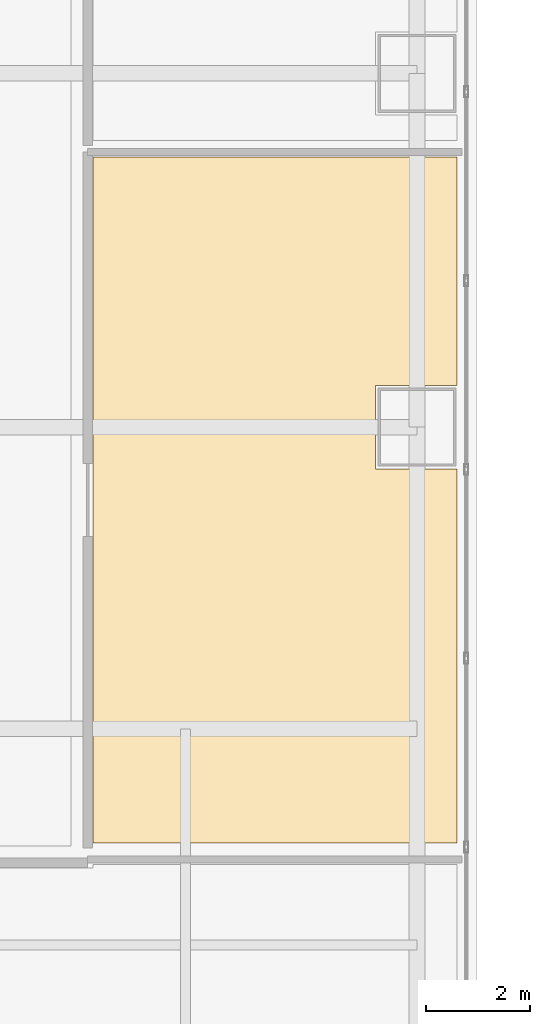
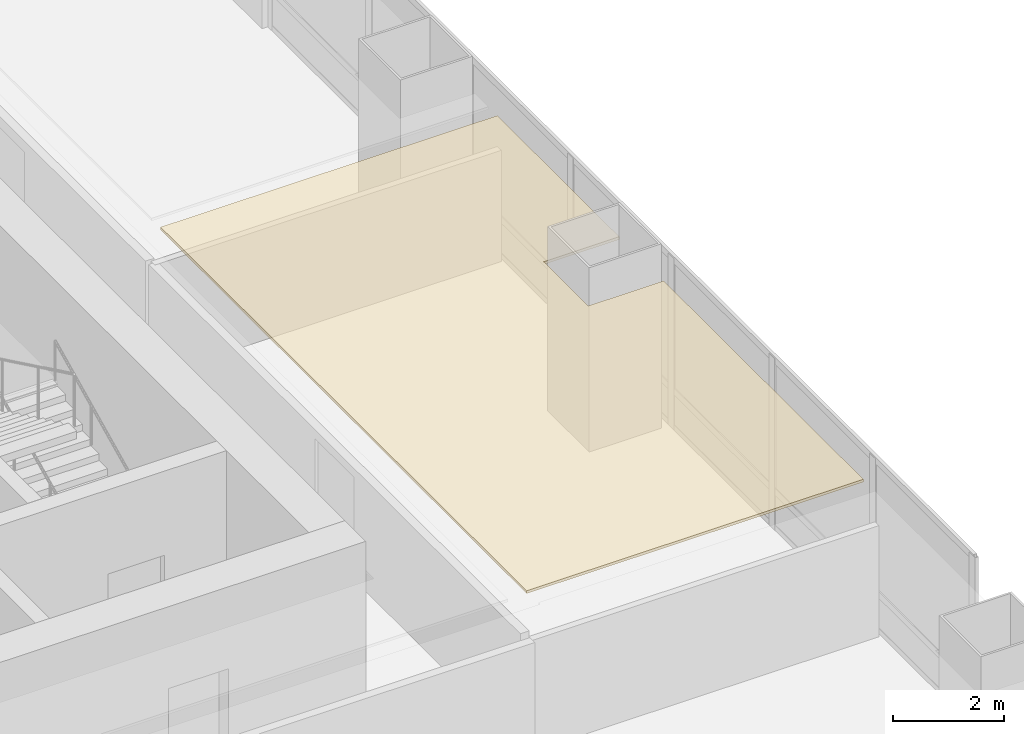
# One storey, part 42 of 45: 1 covering.
"""IFC4 building model written with IfcOpenShell, lengths in metres."""

import ifcopenshell
import ifcopenshell.guid

model = None  # the IFC model being written
_history = None  # IfcOwnerHistory: only IFC2X3 demands one
_inside = {}  # id of a spatial element -> (the spatial element, [elements in it])
_under = {}  # id of a project, library or spatial element -> (it, [spatial elements below it])
_declared = {}  # id of a project -> (the project, [libraries it declares])
_typed = {}  # id of a type object -> (the type object, [elements of that type])
_made_of = {}  # id of a material, layer set ... -> (it, [elements and type objects made of it])


def new_model(schema):
    """Start an empty IFC model of exactly this schema.

    Asked for "IFC4X3", IfcOpenShell would pick the latest addendum, in which some entities
    have other attributes; the version numbers below select the first issue.
    IFC2X3 requires an IfcOwnerHistory on every rooted entity: one is made here for all.
    """
    global model, _history
    if schema == "IFC4X3":
        model = ifcopenshell.file(schema_version=(4, 3, 0, 0))
    else:
        model = ifcopenshell.file(schema=schema)
    _inside.clear()
    _under.clear()
    _declared.clear()
    _typed.clear()
    _made_of.clear()
    _history = None
    if model.schema == "IFC2X3":
        org = make("IfcOrganization", Name="unknown")
        user = make(
            "IfcPersonAndOrganization",
            ThePerson=make("IfcPerson", FamilyName="unknown"),
            TheOrganization=org,
        )
        app = make(
            "IfcApplication",
            ApplicationDeveloper=org,
            Version="unknown",
            ApplicationFullName="unknown",
            ApplicationIdentifier="unknown",
        )
        _history = make(
            "IfcOwnerHistory",
            OwningUser=user,
            OwningApplication=app,
            ChangeAction="ADDED",
            CreationDate=0,
        )
    return model


def make(cls, **values):
    """One entity of the class cls with the attributes given. An attribute that is None is left unset."""
    return model.create_entity(
        cls, **{name: value for name, value in values.items() if value is not None}
    )


def rooted(cls, **values):
    """An entity with a GlobalId (a new one), such as an element, a storey or a relation."""
    return make(cls, GlobalId=ifcopenshell.guid.new(), OwnerHistory=_history, **values)


def si_unit(unit_type, name, prefix=None):
    """IfcSIUnit, for example si_unit("LENGTHUNIT", "METRE", prefix="MILLI")."""
    return make("IfcSIUnit", UnitType=unit_type, Prefix=prefix, Name=name)


def assignment(units):
    """IfcUnitAssignment: the units of a project."""
    return None if units is None else make("IfcUnitAssignment", Units=units)


def point(xyz):
    """IfcCartesianPoint."""
    return None if xyz is None else make("IfcCartesianPoint", Coordinates=xyz)


def direction(xyz):
    """IfcDirection."""
    return None if xyz is None else make("IfcDirection", DirectionRatios=xyz)


def frame(location, z_axis=None, x_axis=None):
    """IfcAxis2Placement3D, a coordinate frame: its origin and axes. An axis left out is left unset."""
    return make(
        "IfcAxis2Placement3D",
        Location=point(location),
        Axis=direction(z_axis),
        RefDirection=direction(x_axis),
    )


def origin():
    """The frame at (0, 0, 0) with its axes left unset."""
    return frame((0.0, 0.0, 0.0))


def place(relative_to, where):
    """IfcLocalPlacement: puts the frame where relative to a parent placement (None: the world)."""
    return make(
        "IfcLocalPlacement", PlacementRelTo=relative_to, RelativePlacement=where
    )


def context(
    kind, dimensions, precision=None, world=None, true_north=None, identifier=None
):
    """IfcGeometricRepresentationContext, for example the 3D "Model" context."""
    return make(
        "IfcGeometricRepresentationContext",
        ContextIdentifier=identifier,
        ContextType=kind,
        CoordinateSpaceDimension=dimensions,
        Precision=precision,
        WorldCoordinateSystem=world,
        TrueNorth=true_north,
    )


def subcontext(parent, identifier, kind, view, scale=None):
    """IfcGeometricRepresentationSubContext, for example "Body" below "Model"."""
    return make(
        "IfcGeometricRepresentationSubContext",
        ContextIdentifier=identifier,
        ContextType=kind,
        ParentContext=parent,
        TargetScale=scale,
        TargetView=view,
    )


def project(units=None, contexts=None):
    """IfcProject with its units and contexts."""
    return rooted(
        "IfcProject",
        Name="project",
        RepresentationContexts=contexts,
        UnitsInContext=assignment(units),
    )


def spatial(cls, under=None, at=None, **own):
    """A site, building, storey or space (cls), placed at a placement, below another one or the project."""
    s = rooted(cls, ObjectPlacement=at, **own)
    if under is not None:
        _under.setdefault(under.id(), (under, []))[1].append(s)
    return s


def polyline(points):
    """IfcPolyline through the points."""
    return make("IfcPolyline", Points=[point(p) for p in points])


def outline(outer, holes=None, kind="AREA"):
    """IfcArbitraryClosedProfileDef: a profile drawn as a closed curve; with holes, ...WithVoids."""
    if holes is None:
        return make("IfcArbitraryClosedProfileDef", ProfileType=kind, OuterCurve=outer)
    return make(
        "IfcArbitraryProfileDefWithVoids",
        ProfileType=kind,
        OuterCurve=outer,
        InnerCurves=holes,
    )


def extrude(swept, where, along, depth):
    """IfcExtrudedAreaSolid: the profile swept, set in the frame where, extruded along a direction by depth."""
    return make(
        "IfcExtrudedAreaSolid",
        SweptArea=swept,
        Position=where,
        ExtrudedDirection=direction(along),
        Depth=depth,
    )


def shape(context_of_items, identifier, shape_type, items):
    """IfcShapeRepresentation: the items that make up one representation, for example the "Body"."""
    return make(
        "IfcShapeRepresentation",
        ContextOfItems=context_of_items,
        RepresentationIdentifier=identifier,
        RepresentationType=shape_type,
        Items=items,
    )


def material(Name=None, Category=None):
    """IfcMaterial."""
    return make("IfcMaterial", Name=Name, Category=Category)


def layer(
    of_material, thickness, ventilated=None, Name=None, Category=None, Priority=None
):
    """IfcMaterialLayer: one layer of a wall or slab, of a material (None: an air gap)."""
    return make(
        "IfcMaterialLayer",
        Material=of_material,
        LayerThickness=thickness,
        IsVentilated=ventilated,
        Name=Name,
        Category=Category,
        Priority=Priority,
    )


def layer_set(layers, Name=None):
    """IfcMaterialLayerSet."""
    return make("IfcMaterialLayerSet", MaterialLayers=layers, LayerSetName=Name)


def made_of(thing, what):
    """Note that an element or type object is made of a material, layer set ...; save() writes the relation."""
    if what is not None:
        _made_of.setdefault(what.id(), (what, []))[1].append(thing)
    return thing


def type_object(cls, material=None, **own):
    """A type object (cls), such as IfcWallType, which elements share."""
    return made_of(rooted(cls, **own), material)


def element(
    cls,
    number,
    at=None,
    inside=None,
    cuts=None,
    type_object=None,
    material=None,
    context=None,
    identifier="Body",
    shape_type=None,
    held_by="IfcProductDefinitionShape",
    body=None,
    shapes=None,
    **own,
):
    """One element of the class cls, such as IfcWall. Its Tag is "e" and its number.

    at: its placement. inside: the storey or other place that contains it. cuts: it is an
    opening in that element (IfcRelVoidsElement). A single representation is given by context,
    identifier, shape_type and body (its items); several are given by shapes. held_by: the class
    of the entity that holds the representations. save() writes the other relations.
    """
    e = rooted(cls, Tag="e%d" % number, ObjectPlacement=at, **own)
    if body is not None:
        shapes = [shape(context, identifier, shape_type, body)]
    if shapes is not None:
        e.Representation = make(held_by, Representations=shapes)
    if inside is not None:
        _inside.setdefault(inside.id(), (inside, []))[1].append(e)
    if cuts is not None:
        rooted(
            "IfcRelVoidsElement", RelatingBuildingElement=cuts, RelatedOpeningElement=e
        )
    if type_object is not None:
        _typed.setdefault(type_object.id(), (type_object, []))[1].append(e)
    return made_of(e, material)


def aggregate(whole, parts):
    """IfcRelAggregates: a whole, such as a stair, and the parts it consists of."""
    return rooted("IfcRelAggregates", RelatingObject=whole, RelatedObjects=parts)


def save(model, path):
    """Write the relations noted so far, then the file.

    IfcRelAggregates (storeys below a building ...), IfcRelContainedInSpatialStructure (elements
    in a storey), IfcRelDefinesByType, IfcRelAssociatesMaterial and IfcRelDeclares: one each for
    every whole, place, type object, material and project.
    """
    for whole, parts in _under.values():
        aggregate(whole, parts)
    for where, things in _inside.values():
        rooted(
            "IfcRelContainedInSpatialStructure",
            RelatedElements=things,
            RelatingStructure=where,
        )
    for kind, things in _typed.values():
        rooted("IfcRelDefinesByType", RelatedObjects=things, RelatingType=kind)
    for what, things in _made_of.values():
        rooted("IfcRelAssociatesMaterial", RelatedObjects=things, RelatingMaterial=what)
    for by, libraries in _declared.values():
        rooted("IfcRelDeclares", RelatingContext=by, RelatedDefinitions=libraries)
    model.write(path)


model = new_model("IFC4")

# Units and contexts
model_context = context("Model", 3, precision=1e-05, world=origin(), true_north=direction((0.0, 1.0)))
body_context = subcontext(model_context, "Body", "Model", "MODEL_VIEW")
ifc_project = project(units=[si_unit("LENGTHUNIT", "METRE"), si_unit("AREAUNIT", "SQUARE_METRE"), si_unit("VOLUMEUNIT", "CUBIC_METRE"), si_unit("PLANEANGLEUNIT", "RADIAN"), si_unit("MASSUNIT", "GRAM", prefix="KILO")], contexts=[model_context])

# Site, building, storey
site_placement = place(None, origin())
site = spatial("IfcSite", under=ifc_project, at=site_placement, CompositionType="ELEMENT")
building_placement = place(site_placement, origin())
building = spatial("IfcBuilding", under=site, at=building_placement, Name="Punatoya Terracotta Tower", CompositionType="ELEMENT")
storey_placement = place(building_placement, frame((0.0, 0.0, 56.550048828125)))
storey = spatial("IfcBuildingStorey", under=building, at=storey_placement, Name="L12", CompositionType="ELEMENT", Elevation=56.550048828125)

# Covering
ifc_material = material(Name="Acoustic Mineral Fibre Ceiling")
ifc_layer = layer(ifc_material, 0.06005859375)
ifc_layer_set = layer_set([ifc_layer], Name="Acoustic Mineral Fibre Ceiling")
covering_type = type_object("IfcCoveringType", Name="COV-CEIL-60", PredefinedType="CEILING", material=ifc_layer_set)
covering_placement = place(storey_placement, frame((0.0, 0.0, 3.199951171875)))
element("IfcCovering", 1, at=covering_placement, inside=storey, type_object=covering_type, Name="L12 Open-Plan Leadership Training Classroom Acoustic Ceiling", PredefinedType="CEILING", context=body_context, shape_type="SweptSolid", body=[
    extrude(outline(polyline([(19.8701171875, -11.389892578125), (19.8701171875, -4.199951171875), (18.300048828125, -4.199951171875), (18.300048828125, -2.60009765625), (19.8701171875, -2.60009765625), (19.8701171875, 1.7900390625), (12.8701171875, 1.7900390625), (12.8701171875, -11.389892578125), (19.8701171875, -11.389892578125)])), origin(), (0.0, 0.0, 1.0), 0.06005859375),
])

save(model, "model.ifc")
